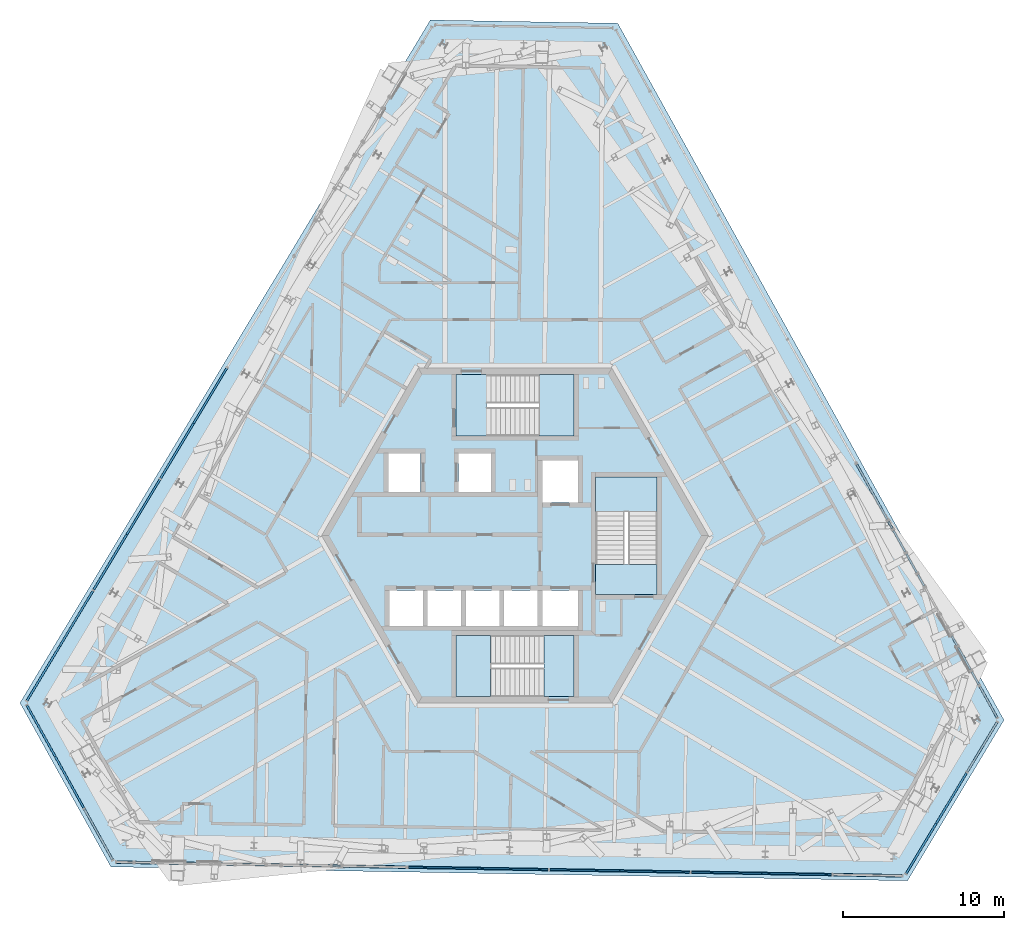
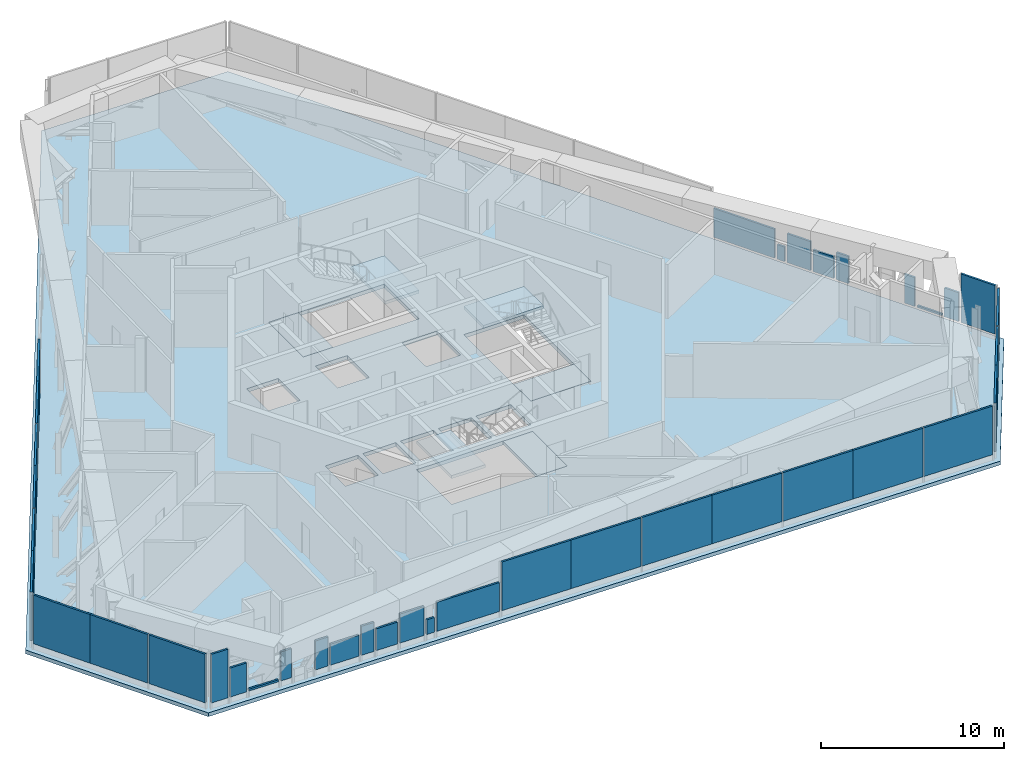
# One storey, part 13 of 28: 39 plates, 7 slabs, 27 elements without a shape of their own.
"""IFC4 building model written with IfcOpenShell, lengths in metres."""

from ifc_helpers import new_model, si_unit, direction, frame, origin, origin_2d, place, context, subcontext, project, spatial, polyline, rectangle, outline, extrude, source, transform, mapped, material, layer, layer_set, type_object, element, aggregate, save


model = new_model("IFC4")

# Units and contexts
model_context = context("Model", 3, precision=1e-05, world=origin(), true_north=direction((0.0, 1.0)))
body_context = subcontext(model_context, "Body", "Model", "MODEL_VIEW")
ifc_project = project(units=[si_unit("LENGTHUNIT", "METRE"), si_unit("AREAUNIT", "SQUARE_METRE"), si_unit("VOLUMEUNIT", "CUBIC_METRE"), si_unit("PLANEANGLEUNIT", "RADIAN"), si_unit("MASSUNIT", "GRAM", prefix="KILO")], contexts=[model_context])

# Site, building, storey
site_placement = place(None, origin())
site = spatial("IfcSite", under=ifc_project, at=site_placement, CompositionType="ELEMENT")
building_placement = place(site_placement, origin())
building = spatial("IfcBuilding", under=site, at=building_placement, Name="Triune Harvest Tower", CompositionType="ELEMENT")
storey_placement = place(building_placement, frame((0.0, 0.0, 215.89990234375)))
storey = spatial("IfcBuildingStorey", under=building, at=storey_placement, Name="L56", CompositionType="ELEMENT", Elevation=215.89990234375)

# Curtain wall, plate
ifc_material_1 = material(Name="Aluminium bronze anodised", Category="aluminium")
curtain_wall_type = type_object("IfcCurtainWallType", Name="CW-5 Plant louvre wall", PredefinedType="NOTDEFINED", material=ifc_material_1)
curtain_wall_1_placement = place(storey_placement, origin())
curtain_wall_1 = element("IfcCurtainWall", 1, at=curtain_wall_1_placement, inside=storey, type_object=curtain_wall_type, Name="CW-5 B5-F1 L56 run 1")
ifc_material_2 = material(Name="Aluminium bronze anodised", Category="aluminium")
ifc_layer_1 = layer(ifc_material_2, 0.1201171875)
ifc_layer_set_1 = layer_set([ifc_layer_1], Name="Aluminium bronze anodised")
plate_type = type_object("IfcPlateType", Name="GL-5 panel 120", PredefinedType="CURTAIN_PANEL", material=ifc_layer_set_1)
plate_1_placement = place(storey_placement, frame((29.3662109375, -10.328125, 0.39990234375), z_axis=(0.0, 0.0, 1.0), x_axis=(-0.484817847522, 0.874615146635, 0.0)))
plate_1 = element("IfcPlate", 2, at=plate_1_placement, type_object=plate_type, Name="CW-5 panel B5-F1 1.1", PredefinedType="CURTAIN_PANEL", context=body_context, shape_type="SweptSolid", body=[
    extrude(rectangle(XDim=2.186767578125, YDim=0.1201171875, at=origin_2d()), origin(), (0.0, 0.0, 1.0), 3.239990234375),
])
aggregate(curtain_wall_1, [plate_1])

curtain_wall_2_placement = place(storey_placement, origin())
curtain_wall_2 = element("IfcCurtainWall", 3, at=curtain_wall_2_placement, inside=storey, type_object=curtain_wall_type, Name="CW-5 B5-F1 L56 run 101")
plate_2_placement = place(storey_placement, frame((28.540283203125, -8.83837890625, 0.39990234375), z_axis=(0.0, 0.0, 1.0), x_axis=(-0.484817516976, 0.874615329864, 0.0)))
plate_2 = element("IfcPlate", 4, at=plate_2_placement, type_object=plate_type, Name="CW-5 panel B5-F1 101.1", PredefinedType="CURTAIN_PANEL", context=body_context, shape_type="SweptSolid", body=[
    extrude(rectangle(XDim=0.899658203125, YDim=0.1201171875, at=origin_2d()), origin(), (0.0, 0.0, 1.0), 1.929931640625),
])
aggregate(curtain_wall_2, [plate_2])

curtain_wall_3_placement = place(storey_placement, origin())
curtain_wall_3 = element("IfcCurtainWall", 5, at=curtain_wall_3_placement, inside=storey, type_object=curtain_wall_type, Name="CW-5 B5-F1 L56 run 201")
plate_3_placement = place(storey_placement, frame((27.86474609375, -7.619384765625, 0.39990234375), z_axis=(0.0, 0.0, 1.0), x_axis=(-0.484782619936, 0.874634673111, 0.0)))
plate_3 = element("IfcPlate", 6, at=plate_3_placement, type_object=plate_type, Name="CW-5 panel B5-F1 201.1", PredefinedType="CURTAIN_PANEL", context=body_context, shape_type="SweptSolid", body=[
    extrude(rectangle(XDim=1.567626953125, YDim=0.1201171875, at=origin_2d()), origin(), (0.0, 0.0, 1.0), 0.131103515625),
])
aggregate(curtain_wall_3, [plate_3])

curtain_wall_4_placement = place(storey_placement, origin())
curtain_wall_4 = element("IfcCurtainWall", 7, at=curtain_wall_4_placement, inside=storey, type_object=curtain_wall_type, Name="CW-5 B5-F1 L56 run 801")
plate_4_placement = place(storey_placement, frame((25.17578125, -2.7685546875, 0.39990234375), z_axis=(0.0, 0.0, 1.0), x_axis=(-0.484818713958, 0.874614666351, 0.0)))
plate_4 = element("IfcPlate", 8, at=plate_4_placement, type_object=plate_type, Name="CW-5 panel B5-F1 801.1", PredefinedType="CURTAIN_PANEL", context=body_context, shape_type="SweptSolid", body=[
    extrude(rectangle(XDim=0.777587890625, YDim=0.1201171875, at=origin_2d()), origin(), (0.0, 0.0, 1.0), 1.806884765625),
])
aggregate(curtain_wall_4, [plate_4])

curtain_wall_5_placement = place(storey_placement, origin())
curtain_wall_5 = element("IfcCurtainWall", 9, at=curtain_wall_5_placement, inside=storey, type_object=curtain_wall_type, Name="CW-5 B5-F1 L56 run 1101")
plate_5_placement = place(storey_placement, frame((23.27587890625, 0.65869140625, 0.400146484375), z_axis=(0.0, 0.0, 1.0), x_axis=(-0.484765520499, 0.874644150575, 0.0)))
plate_5 = element("IfcPlate", 10, at=plate_5_placement, type_object=plate_type, Name="CW-5 panel B5-F1 1101.1", PredefinedType="CURTAIN_PANEL", context=body_context, shape_type="SweptSolid", body=[
    extrude(rectangle(XDim=0.46923828125, YDim=0.1201171875, at=origin_2d()), origin(), (0.0, 0.0, 1.0), 0.9775390625),
])
aggregate(curtain_wall_5, [plate_5])

curtain_wall_6_placement = place(storey_placement, origin())
curtain_wall_6 = element("IfcCurtainWall", 11, at=curtain_wall_6_placement, inside=storey, type_object=curtain_wall_type, Name="CW-5 B5-F1 L56 run 1201")
plate_6_placement = place(storey_placement, frame((22.1396484375, 2.708740234375, 0.39990234375), z_axis=(0.0, 0.0, 1.0), x_axis=(-0.484820607584, 0.874613616668, 0.0)))
plate_6 = element("IfcPlate", 12, at=plate_6_placement, type_object=plate_type, Name="CW-5 panel B5-F1 1201.1", PredefinedType="CURTAIN_PANEL", context=body_context, shape_type="SweptSolid", body=[
    extrude(rectangle(XDim=3.89892578125, YDim=0.1201171875, at=origin_2d()), origin(), (0.0, 0.0, 1.0), 1.929931640625),
])
aggregate(curtain_wall_6, [plate_6])

curtain_wall_7_placement = place(storey_placement, origin())
curtain_wall_7 = element("IfcCurtainWall", 13, at=curtain_wall_7_placement, inside=storey, type_object=curtain_wall_type, Name="CW-5 B5-F5 L56 run 101")
plate_7_placement = place(storey_placement, frame((-23.040771484375, -20.278076171875, 0.39990234375), z_axis=(0.0, 0.0, 1.0), x_axis=(0.999847372011, -0.017470909586, 0.0)))
plate_7 = element("IfcPlate", 14, at=plate_7_placement, type_object=plate_type, Name="CW-5 panel B5-F5 101.1", PredefinedType="CURTAIN_PANEL", context=body_context, shape_type="SweptSolid", body=[
    extrude(rectangle(XDim=1.013427734375, YDim=0.1201171875, at=origin_2d()), origin(), (0.0, 0.0, 1.0), 1.929931640625),
])
aggregate(curtain_wall_7, [plate_7])

curtain_wall_8_placement = place(storey_placement, origin())
curtain_wall_8 = element("IfcCurtainWall", 15, at=curtain_wall_8_placement, inside=storey, type_object=curtain_wall_type, Name="CW-5 B5-F5 L56 run 201")
plate_8_placement = place(storey_placement, frame((-21.46435546875, -20.3056640625, 0.400146484375), z_axis=(0.0, 0.0, 1.0), x_axis=(0.999847259025, -0.017477374538, 0.0)))
plate_8 = element("IfcPlate", 16, at=plate_8_placement, type_object=plate_type, Name="CW-5 panel B5-F5 201.1", PredefinedType="CURTAIN_PANEL", context=body_context, shape_type="SweptSolid", body=[
    extrude(rectangle(XDim=1.81982421875, YDim=0.1201171875, at=origin_2d()), origin(), (0.0, 0.0, 1.0), 0.13134765625),
])
aggregate(curtain_wall_8, [plate_8])

curtain_wall_9_placement = place(storey_placement, origin())
curtain_wall_9 = element("IfcCurtainWall", 17, at=curtain_wall_9_placement, inside=storey, type_object=curtain_wall_type, Name="CW-5 B5-F5 L56 run 601")
plate_9_placement = place(storey_placement, frame((-17.849853515625, -20.36865234375, 0.39990234375), z_axis=(0.0, 0.0, 1.0), x_axis=(0.9998478068, -0.017446009191, 0.0)))
plate_9 = element("IfcPlate", 18, at=plate_9_placement, type_object=plate_type, Name="CW-5 panel B5-F5 601.1", PredefinedType="CURTAIN_PANEL", context=body_context, shape_type="SweptSolid", body=[
    extrude(rectangle(XDim=0.780029296875, YDim=0.1201171875, at=origin_2d()), origin(), (0.0, 0.0, 1.0), 1.929931640625),
])
aggregate(curtain_wall_9, [plate_9])

curtain_wall_10_placement = place(storey_placement, origin())
curtain_wall_10 = element("IfcCurtainWall", 19, at=curtain_wall_10_placement, inside=storey, type_object=curtain_wall_type, Name="CW-5 B5-F5 L56 run 701")
plate_10_placement = place(storey_placement, frame((-16.4169921875, -20.393798828125, 0.39990234375), z_axis=(0.0, 0.0, 1.0), x_axis=(0.999847830695, -0.017444639683, 0.0)))
plate_10 = element("IfcPlate", 20, at=plate_10_placement, type_object=plate_type, Name="CW-5 panel B5-F5 701.1", PredefinedType="CURTAIN_PANEL", context=body_context, shape_type="SweptSolid", body=[
    extrude(rectangle(XDim=1.76611328125, YDim=0.1201171875, at=origin_2d()), origin(), (0.0, 0.0, 1.0), 1.393798828125),
])
aggregate(curtain_wall_10, [plate_10])

curtain_wall_11_placement = place(storey_placement, origin())
curtain_wall_11 = element("IfcCurtainWall", 21, at=curtain_wall_11_placement, inside=storey, type_object=curtain_wall_type, Name="CW-5 B5-F5 L56 run 1101")
plate_11_placement = place(storey_placement, frame((-11.067626953125, -20.487060546875, 0.39990234375), z_axis=(0.0, 0.0, 1.0), x_axis=(0.999847070048, -0.017488182181, 0.0)))
plate_11 = element("IfcPlate", 22, at=plate_11_placement, type_object=plate_type, Name="CW-5 panel B5-F5 1101.1", PredefinedType="CURTAIN_PANEL", context=body_context, shape_type="SweptSolid", body=[
    extrude(rectangle(XDim=0.468994140625, YDim=0.1201171875, at=origin_2d()), origin(), (0.0, 0.0, 1.0), 0.977783203125),
])
aggregate(curtain_wall_11, [plate_11])

curtain_wall_12_placement = place(storey_placement, origin())
curtain_wall_12 = element("IfcCurtainWall", 23, at=curtain_wall_12_placement, inside=storey, type_object=curtain_wall_type, Name="CW-5 B5-F5 L56 run 1201")
plate_12_placement = place(storey_placement, frame((-8.724609375, -20.528076171875, 0.39990234375), z_axis=(0.0, 0.0, 1.0), x_axis=(0.999847768013, -0.017448231984, 0.0)))
plate_12 = element("IfcPlate", 24, at=plate_12_placement, type_object=plate_type, Name="CW-5 panel B5-F5 1201.1", PredefinedType="CURTAIN_PANEL", context=body_context, shape_type="SweptSolid", body=[
    extrude(rectangle(XDim=3.897705078125, YDim=0.1201171875, at=origin_2d()), origin(), (0.0, 0.0, 1.0), 1.929931640625),
])
aggregate(curtain_wall_12, [plate_12])

# Curtain wall, plates
curtain_wall_13_placement = place(storey_placement, origin())
curtain_wall_13 = element("IfcCurtainWall", 25, at=curtain_wall_13_placement, inside=storey, type_object=curtain_wall_type, Name="CW-5 B5-F5 L56 run 1301")
plate_13_placement = place(storey_placement, frame((-4.457763671875, -20.6025390625, 0.39990234375), z_axis=(0.0, 0.0, 1.0), x_axis=(0.999847739304, -0.017449877038, 0.0)))
plate_13 = element("IfcPlate", 26, at=plate_13_placement, type_object=plate_type, Name="CW-5 panel B5-F5 1301.1", PredefinedType="CURTAIN_PANEL", context=body_context, shape_type="SweptSolid", body=[
    extrude(rectangle(XDim=4.317138671875, YDim=0.1201171875, at=origin_2d()), origin(), (0.0, 0.0, 1.0), 3.239990234375),
])
plate_14_placement = place(storey_placement, frame((21.860595703125, -21.061767578125, 0.39990234375), z_axis=(0.0, 0.0, 1.0), x_axis=(0.999847739304, -0.017449877038, 0.0)))
plate_14 = element("IfcPlate", 27, at=plate_14_placement, type_object=plate_type, Name="CW-5 panel B5-F5 1301.7", PredefinedType="CURTAIN_PANEL", context=body_context, shape_type="SweptSolid", body=[
    extrude(rectangle(XDim=4.277099609375, YDim=0.1201171875, at=origin_2d()), origin(), (0.0, 0.0, 1.0), 3.239990234375),
])

# Slab
ifc_material_3 = material(Name="Concrete 40 MPa", Category="concrete")
ifc_layer_2 = layer(ifc_material_3, 0.25)
ifc_layer_set_2 = layer_set([ifc_layer_2], Name="Concrete 40 MPa")
slab_type_1 = type_object("IfcSlabType", Name="SL-4 Composite floor slab 250", PredefinedType="FLOOR", material=ifc_layer_set_2)
slab_1_placement = place(storey_placement, frame((0.0, 0.0, -0.25)))
element("IfcSlab", 28, at=slab_1_placement, inside=storey, type_object=slab_type_1, Name="slab/L56/1", PredefinedType="FLOOR", context=body_context, shape_type="SweptSolid", body=[
    extrude(outline(polyline([(30.324951171875, -11.439208984375), (6.368896484375, 31.77880859375), (-5.256103515625, 31.981689453125), (-30.705810546875, -10.373779296875), (-25.069091796875, -20.542724609375), (24.3369140625, -21.405029296875), (30.324951171875, -11.439208984375)]), holes=[polyline([(-5.72509765625, -5.590087890625), (-5.72509765625, -3.389892578125), (-7.800048828125, -3.389892578125), (-7.800048828125, -5.590087890625), (-5.72509765625, -5.590087890625)]), polyline([(-3.35009765625, -5.590087890625), (-3.35009765625, -3.389892578125), (-5.425048828125, -3.389892578125), (-5.425048828125, -5.590087890625), (-3.35009765625, -5.590087890625)]), polyline([(-0.97509765625, -5.590087890625), (-0.97509765625, -3.389892578125), (-3.050048828125, -3.389892578125), (-3.050048828125, -5.590087890625), (-0.97509765625, -5.590087890625)]), polyline([(1.39990234375, -5.590087890625), (1.39990234375, -3.389892578125), (-0.675048828125, -3.389892578125), (-0.675048828125, -5.590087890625), (1.39990234375, -5.590087890625)]), polyline([(3.89990234375, 2.06005859375), (3.89990234375, 4.659912109375), (1.699951171875, 4.659912109375), (1.699951171875, 2.06005859375), (3.89990234375, 2.06005859375)]), polyline([(3.89990234375, -5.590087890625), (3.89990234375, -3.389892578125), (1.699951171875, -3.389892578125), (1.699951171875, -5.590087890625), (3.89990234375, -5.590087890625)]), polyline([(-5.85009765625, 2.7099609375), (-5.85009765625, 5.110107421875), (-7.85009765625, 5.110107421875), (-7.85009765625, 2.7099609375), (-5.85009765625, 2.7099609375)]), polyline([(-1.5, 2.7099609375), (-1.5, 5.110107421875), (-3.5, 5.110107421875), (-3.5, 2.7099609375), (-1.5, 2.7099609375)]), polyline([(3.64990234375, 6.18994140625), (3.64990234375, 9.989990234375), (-3.64990234375, 9.989990234375), (-3.64990234375, 6.18994140625), (3.64990234375, 6.18994140625)]), polyline([(3.64990234375, -9.989990234375), (3.64990234375, -6.18994140625), (-3.64990234375, -6.18994140625), (-3.64990234375, -9.989990234375), (3.64990234375, -9.989990234375)]), polyline([(8.800048828125, -3.64990234375), (8.800048828125, 3.64990234375), (5.0, 3.64990234375), (5.0, -3.64990234375), (8.800048828125, -3.64990234375)])]), origin(), (0.0, 0.0, 1.0), 0.25),
])

# Stair, slabs
ifc_material_4 = material(Name="Concrete 40 MPa", Category="concrete")
stair_type = type_object("IfcStairType", Name="Exit stair 1800 half turn", PredefinedType="HALF_TURN_STAIR", material=ifc_material_4)
stair_1_placement = place(storey_placement, origin())
stair_1 = element("IfcStair", 29, at=stair_1_placement, inside=storey, type_object=stair_type, Name="Exit stair north", PredefinedType="HALF_TURN_STAIR")
ifc_material_5 = material(Name="Concrete 40 MPa", Category="concrete")
ifc_layer_3 = layer(ifc_material_5, 0.199951171875)
ifc_layer_set_3 = layer_set([ifc_layer_3], Name="Concrete 40 MPa")
slab_type_2 = type_object("IfcSlabType", Name="Stair landing 200", PredefinedType="LANDING", material=ifc_layer_set_3)
shared_shape_1 = source(origin(), body_context, "Body", "SweptSolid", [
    extrude(outline(polyline([(1.510009765625, 6.18994140625), (3.64990234375, 6.18994140625), (3.64990234375, 9.989990234375), (1.510009765625, 9.989990234375), (1.510009765625, 6.18994140625)])), origin(), (0.0, 0.0, 1.0), 0.199951171875),
])
slab_2_placement = place(storey_placement, frame((0.0, 0.0, 1.7001953125)))
slab_2 = element("IfcSlab", 30, at=slab_2_placement, type_object=slab_type_2, Name="ST-1 landing 2", PredefinedType="LANDING", context=body_context, shape_type="MappedRepresentation", body=[
    mapped(shared_shape_1, transform((0.0, 0.0, 0.0), scale=1.0)),
])
shared_shape_2 = source(origin(), body_context, "Body", "SweptSolid", [
    extrude(outline(polyline([(-3.64990234375, 6.18994140625), (-1.780029296875, 6.18994140625), (-1.780029296875, 9.989990234375), (-3.64990234375, 9.989990234375), (-3.64990234375, 6.18994140625)])), origin(), (0.0, 0.0, 1.0), 0.199951171875),
])
slab_3_placement = place(storey_placement, frame((0.0, 0.0, -0.199951171875)))
slab_3 = element("IfcSlab", 31, at=slab_3_placement, type_object=slab_type_2, Name="ST-1 landing 1", PredefinedType="LANDING", context=body_context, shape_type="MappedRepresentation", body=[
    mapped(shared_shape_2, transform((0.0, 0.0, 0.0), scale=1.0)),
])
aggregate(stair_1, [slab_3, slab_2])

stair_2_placement = place(storey_placement, origin())
stair_2 = element("IfcStair", 32, at=stair_2_placement, inside=storey, type_object=stair_type, Name="Exit stair south", PredefinedType="HALF_TURN_STAIR")
shared_shape_3 = source(origin(), body_context, "Body", "SweptSolid", [
    extrude(outline(polyline([(-1.510009765625, -6.18994140625), (-3.64990234375, -6.18994140625), (-3.64990234375, -9.989990234375), (-1.510009765625, -9.989990234375), (-1.510009765625, -6.18994140625)])), origin(), (0.0, 0.0, 1.0), 0.199951171875),
])
slab_4_placement = place(storey_placement, frame((0.0, 0.0, 1.7001953125)))
slab_4 = element("IfcSlab", 33, at=slab_4_placement, type_object=slab_type_2, Name="ST-2 landing 2", PredefinedType="LANDING", context=body_context, shape_type="MappedRepresentation", body=[
    mapped(shared_shape_3, transform((0.0, 0.0, 0.0), scale=1.0)),
])
shared_shape_4 = source(origin(), body_context, "Body", "SweptSolid", [
    extrude(outline(polyline([(3.64990234375, -6.18994140625), (1.780029296875, -6.18994140625), (1.780029296875, -9.989990234375), (3.64990234375, -9.989990234375), (3.64990234375, -6.18994140625)])), origin(), (0.0, 0.0, 1.0), 0.199951171875),
])
slab_5_placement = place(storey_placement, frame((0.0, 0.0, -0.199951171875)))
slab_5 = element("IfcSlab", 34, at=slab_5_placement, type_object=slab_type_2, Name="ST-2 landing 1", PredefinedType="LANDING", context=body_context, shape_type="MappedRepresentation", body=[
    mapped(shared_shape_4, transform((0.0, 0.0, 0.0), scale=1.0)),
])
aggregate(stair_2, [slab_5, slab_4])

stair_3_placement = place(storey_placement, origin())
stair_3 = element("IfcStair", 35, at=stair_3_placement, inside=storey, type_object=stair_type, Name="Exit stair east", PredefinedType="HALF_TURN_STAIR")
shared_shape_5 = source(origin(), body_context, "Body", "SweptSolid", [
    extrude(outline(polyline([(8.800048828125, 1.510009765625), (8.800048828125, 3.64990234375), (5.0, 3.64990234375), (5.0, 1.510009765625), (8.800048828125, 1.510009765625)])), origin(), (0.0, 0.0, 1.0), 0.199951171875),
])
slab_6_placement = place(storey_placement, frame((0.0, 0.0, 1.7001953125)))
slab_6 = element("IfcSlab", 36, at=slab_6_placement, type_object=slab_type_2, Name="ST-3 landing 2", PredefinedType="LANDING", context=body_context, shape_type="MappedRepresentation", body=[
    mapped(shared_shape_5, transform((0.0, 0.0, 0.0), scale=1.0)),
])
shared_shape_6 = source(origin(), body_context, "Body", "SweptSolid", [
    extrude(outline(polyline([(8.800048828125, -3.64990234375), (8.800048828125, -1.780029296875), (5.0, -1.780029296875), (5.0, -3.64990234375), (8.800048828125, -3.64990234375)])), origin(), (0.0, 0.0, 1.0), 0.199951171875),
])
slab_7_placement = place(storey_placement, frame((0.0, 0.0, -0.199951171875)))
slab_7 = element("IfcSlab", 37, at=slab_7_placement, type_object=slab_type_2, Name="ST-3 landing 1", PredefinedType="LANDING", context=body_context, shape_type="MappedRepresentation", body=[
    mapped(shared_shape_6, transform((0.0, 0.0, 0.0), scale=1.0)),
])
aggregate(stair_3, [slab_7, slab_6])

# Curtain wall, plate
curtain_wall_14_placement = place(storey_placement, origin())
curtain_wall_14 = element("IfcCurtainWall", 38, at=curtain_wall_14_placement, inside=storey, type_object=curtain_wall_type, Name="CW-5 B5-F1 L56 run 301")
shared_shape_7 = source(origin(), body_context, "Body", "SweptSolid", [
    extrude(rectangle(XDim=0.647705078125, YDim=0.1201171875, at=origin_2d()), origin(), (0.0, 0.0, 1.0), 1.929931640625),
])
plate_15_placement = place(storey_placement, frame((27.25, -6.5107421875, 0.39990234375), z_axis=(0.0, 0.0, 1.0), x_axis=(-0.484896303337, 0.874571652302, 0.0)))
plate_15 = element("IfcPlate", 39, at=plate_15_placement, type_object=plate_type, Name="CW-5 panel B5-F1 301.1", PredefinedType="CURTAIN_PANEL", context=body_context, shape_type="MappedRepresentation", body=[
    mapped(shared_shape_7, transform((0.0, 0.0, 0.0), scale=1.0)),
])
aggregate(curtain_wall_14, [plate_15])

curtain_wall_15_placement = place(storey_placement, origin())
curtain_wall_15 = element("IfcCurtainWall", 40, at=curtain_wall_15_placement, inside=storey, type_object=curtain_wall_type, Name="CW-5 B5-F5 L56 run 301")
plate_16_placement = place(storey_placement, frame((-20.071044921875, -20.329833984375, 0.39990234375), z_axis=(0.0, 0.0, 1.0), x_axis=(0.999847586348, -0.017458638966, 0.0)))
plate_16 = element("IfcPlate", 41, at=plate_16_placement, type_object=plate_type, Name="CW-5 panel B5-F5 301.1", PredefinedType="CURTAIN_PANEL", context=body_context, shape_type="MappedRepresentation", body=[
    mapped(shared_shape_7, transform((0.0, 0.0, 0.0), scale=1.0)),
])
aggregate(curtain_wall_15, [plate_16])

curtain_wall_16_placement = place(storey_placement, origin())
curtain_wall_16 = element("IfcCurtainWall", 42, at=curtain_wall_16_placement, inside=storey, type_object=curtain_wall_type, Name="CW-5 B5-F1 L56 run 901")
shared_shape_8 = source(origin(), body_context, "Body", "SweptSolid", [
    extrude(rectangle(XDim=1.30908203125, YDim=0.1201171875, at=origin_2d()), origin(), (0.0, 0.0, 1.0), 1.4501953125),
])
plate_17_placement = place(storey_placement, frame((24.59228515625, -1.716064453125, 0.400146484375), z_axis=(0.0, 0.0, 1.0), x_axis=(-0.484845182808, 0.874599993544, 0.0)))
plate_17 = element("IfcPlate", 43, at=plate_17_placement, type_object=plate_type, Name="CW-5 panel B5-F1 901.1", PredefinedType="CURTAIN_PANEL", context=body_context, shape_type="MappedRepresentation", body=[
    mapped(shared_shape_8, transform((0.0, 0.0, 0.0), scale=1.0)),
])
aggregate(curtain_wall_16, [plate_17])

curtain_wall_17_placement = place(storey_placement, origin())
curtain_wall_17 = element("IfcCurtainWall", 44, at=curtain_wall_17_placement, inside=storey, type_object=curtain_wall_type, Name="CW-5 B5-F5 L56 run 901")
plate_18_placement = place(storey_placement, frame((-13.7822265625, -20.439697265625, 0.400146484375), z_axis=(0.0, 0.0, 1.0), x_axis=(0.999848166867, -0.017425361211, 0.0)))
plate_18 = element("IfcPlate", 45, at=plate_18_placement, type_object=plate_type, Name="CW-5 panel B5-F5 901.1", PredefinedType="CURTAIN_PANEL", context=body_context, shape_type="MappedRepresentation", body=[
    mapped(shared_shape_8, transform((0.0, 0.0, 0.0), scale=1.0)),
])
aggregate(curtain_wall_17, [plate_18])

curtain_wall_18_placement = place(storey_placement, origin())
curtain_wall_18 = element("IfcCurtainWall", 46, at=curtain_wall_18_placement, inside=storey, type_object=curtain_wall_type, Name="CW-5 B5-F1 L56 run 1001")
shared_shape_9 = source(origin(), body_context, "Body", "SweptSolid", [
    extrude(rectangle(XDim=1.506103515625, YDim=0.1201171875, at=origin_2d()), origin(), (0.0, 0.0, 1.0), 1.929931640625),
])
plate_19_placement = place(storey_placement, frame((23.832275390625, -0.344970703125, 0.39990234375), z_axis=(0.0, 0.0, 1.0), x_axis=(-0.484791644973, 0.874629670755, 0.0)))
plate_19 = element("IfcPlate", 47, at=plate_19_placement, type_object=plate_type, Name="CW-5 panel B5-F1 1001.1", PredefinedType="CURTAIN_PANEL", context=body_context, shape_type="MappedRepresentation", body=[
    mapped(shared_shape_9, transform((0.0, 0.0, 0.0), scale=1.0)),
])
aggregate(curtain_wall_18, [plate_19])

curtain_wall_19_placement = place(storey_placement, origin())
curtain_wall_19 = element("IfcCurtainWall", 48, at=curtain_wall_19_placement, inside=storey, type_object=curtain_wall_type, Name="CW-5 B5-F5 L56 run 1001")
plate_20_placement = place(storey_placement, frame((-12.21484375, -20.467041015625, 0.39990234375), z_axis=(0.0, 0.0, 1.0), x_axis=(0.999847450468, -0.017466419016, 0.0)))
plate_20 = element("IfcPlate", 49, at=plate_20_placement, type_object=plate_type, Name="CW-5 panel B5-F5 1001.1", PredefinedType="CURTAIN_PANEL", context=body_context, shape_type="MappedRepresentation", body=[
    mapped(shared_shape_9, transform((0.0, 0.0, 0.0), scale=1.0)),
])
aggregate(curtain_wall_19, [plate_20])

curtain_wall_20_placement = place(storey_placement, origin())
curtain_wall_20 = element("IfcCurtainWall", 50, at=curtain_wall_20_placement, inside=storey, type_object=curtain_wall_type, Name="CW-5 B5-F4 L56 run 1")
shared_shape_10 = source(origin(), body_context, "Body", "SweptSolid", [
    extrude(rectangle(XDim=3.6201171875, YDim=0.1201171875, at=origin_2d()), origin(), (0.0, 0.0, 1.0), 3.239990234375),
])
plate_21_placement = place(storey_placement, frame((-29.3994140625, -12.111572265625, 0.39990234375), z_axis=(0.0, 0.0, 1.0), x_axis=(0.484801950362, -0.874623958582, 0.0)))
plate_21 = element("IfcPlate", 51, at=plate_21_placement, type_object=plate_type, Name="CW-5 panel B5-F4 1.1", PredefinedType="CURTAIN_PANEL", context=body_context, shape_type="MappedRepresentation", body=[
    mapped(shared_shape_10, transform((0.0, 0.0, 0.0), scale=1.0)),
])

curtain_wall_21_placement = place(storey_placement, origin())
curtain_wall_21 = element("IfcCurtainWall", 52, at=curtain_wall_21_placement, inside=storey, type_object=curtain_wall_type, Name="CW-5 B5-F6 L56 run 1")
plate_22_placement = place(storey_placement, frame((25.188720703125, -19.40478515625, 0.39990234375), z_axis=(0.0, 0.0, 1.0), x_axis=(0.515036685882, 0.857168135313, 0.0)))
plate_22 = element("IfcPlate", 53, at=plate_22_placement, type_object=plate_type, Name="CW-5 panel B5-F6 1.1", PredefinedType="CURTAIN_PANEL", context=body_context, shape_type="MappedRepresentation", body=[
    mapped(shared_shape_10, transform((0.0, 0.0, 0.0), scale=1.0)),
])

# Plate
shared_shape_11 = source(origin(), body_context, "Body", "SweptSolid", [
    extrude(rectangle(XDim=3.66015625, YDim=0.1201171875, at=origin_2d()), origin(), (0.0, 0.0, 1.0), 3.239990234375),
])
plate_23_placement = place(storey_placement, frame((-27.634765625, -15.29541015625, 0.39990234375), z_axis=(0.0, 0.0, 1.0), x_axis=(0.484801950362, -0.874623958582, 0.0)))
plate_23 = element("IfcPlate", 54, at=plate_23_placement, type_object=plate_type, Name="CW-5 panel B5-F4 1.2", PredefinedType="CURTAIN_PANEL", context=body_context, shape_type="MappedRepresentation", body=[
    mapped(shared_shape_11, transform((0.0, 0.0, 0.0), scale=1.0)),
])

plate_24_placement = place(storey_placement, frame((27.0634765625, -16.28466796875, 0.39990234375), z_axis=(0.0, 0.0, 1.0), x_axis=(0.515036685882, 0.857168135313, 0.0)))
plate_24 = element("IfcPlate", 55, at=plate_24_placement, type_object=plate_type, Name="CW-5 panel B5-F6 1.2", PredefinedType="CURTAIN_PANEL", context=body_context, shape_type="MappedRepresentation", body=[
    mapped(shared_shape_11, transform((0.0, 0.0, 0.0), scale=1.0)),
])

shared_shape_12 = source(origin(), body_context, "Body", "SweptSolid", [
    extrude(rectangle(XDim=3.580078125, YDim=0.1201171875, at=origin_2d()), origin(), (0.0, 0.0, 1.0), 3.239990234375),
])
plate_25_placement = place(storey_placement, frame((-25.8408203125, -18.531494140625, 0.39990234375), z_axis=(0.0, 0.0, 1.0), x_axis=(0.484801950362, -0.874623958582, 0.0)))
plate_25 = element("IfcPlate", 56, at=plate_25_placement, type_object=plate_type, Name="CW-5 panel B5-F4 1.3", PredefinedType="CURTAIN_PANEL", context=body_context, shape_type="MappedRepresentation", body=[
    mapped(shared_shape_12, transform((0.0, 0.0, 0.0), scale=1.0)),
])

aggregate(curtain_wall_20, [plate_21, plate_23, plate_25])

plate_26_placement = place(storey_placement, frame((28.968994140625, -13.11328125, 0.39990234375), z_axis=(0.0, 0.0, 1.0), x_axis=(0.515036685882, 0.857168135313, 0.0)))
plate_26 = element("IfcPlate", 57, at=plate_26_placement, type_object=plate_type, Name="CW-5 panel B5-F6 1.3", PredefinedType="CURTAIN_PANEL", context=body_context, shape_type="MappedRepresentation", body=[
    mapped(shared_shape_12, transform((0.0, 0.0, 0.0), scale=1.0)),
])

aggregate(curtain_wall_21, [plate_22, plate_24, plate_26])

# Curtain wall, plate
curtain_wall_22_placement = place(storey_placement, origin())
curtain_wall_22 = element("IfcCurtainWall", 58, at=curtain_wall_22_placement, inside=storey, type_object=curtain_wall_type, Name="CW-5 B5-F5 L56 run 1")
shared_shape_13 = source(origin(), body_context, "Body", "SweptSolid", [
    extrude(rectangle(XDim=1.013427734375, YDim=0.1201171875, at=origin_2d()), origin(), (0.0, 0.0, 1.0), 3.239990234375),
])
plate_27_placement = place(storey_placement, frame((-24.2138671875, -20.257568359375, 0.39990234375), z_axis=(0.0, 0.0, 1.0), x_axis=(0.999848882853, -0.017384230137, 0.0)))
plate_27 = element("IfcPlate", 59, at=plate_27_placement, type_object=plate_type, Name="CW-5 panel B5-F5 1.1", PredefinedType="CURTAIN_PANEL", context=body_context, shape_type="MappedRepresentation", body=[
    mapped(shared_shape_13, transform((0.0, 0.0, 0.0), scale=1.0)),
])
aggregate(curtain_wall_22, [plate_27])

curtain_wall_23_placement = place(storey_placement, origin())
curtain_wall_23 = element("IfcCurtainWall", 60, at=curtain_wall_23_placement, inside=storey, type_object=curtain_wall_type, Name="CW-5 B5-F5 L56 run 801")
shared_shape_14 = source(origin(), body_context, "Body", "SweptSolid", [
    extrude(rectangle(XDim=0.777587890625, YDim=0.1201171875, at=origin_2d()), origin(), (0.0, 0.0, 1.0), 1.929931640625),
])
plate_28_placement = place(storey_placement, frame((-14.9853515625, -20.418701171875, 0.39990234375), z_axis=(0.0, 0.0, 1.0), x_axis=(0.999847026753, -0.017490657325, 0.0)))
plate_28 = element("IfcPlate", 61, at=plate_28_placement, type_object=plate_type, Name="CW-5 panel B5-F5 801.1", PredefinedType="CURTAIN_PANEL", context=body_context, shape_type="MappedRepresentation", body=[
    mapped(shared_shape_14, transform((0.0, 0.0, 0.0), scale=1.0)),
])
aggregate(curtain_wall_23, [plate_28])

# Curtain wall, plates
curtain_wall_24_placement = place(storey_placement, origin())
curtain_wall_24 = element("IfcCurtainWall", 62, at=curtain_wall_24_placement, inside=storey, type_object=curtain_wall_type, Name="CW-5 B5-F3 L56 run 1201")
shared_shape_15 = source(origin(), body_context, "Body", "SweptSolid", [
    extrude(rectangle(XDim=3.95068359375, YDim=0.1201171875, at=origin_2d()), origin(), (0.0, 0.0, 1.0), 3.239990234375),
])
plate_29_placement = place(storey_placement, frame((-29.25439453125, -8.541015625, 0.39990234375), z_axis=(0.0, 0.0, 1.0), x_axis=(-0.515034271719, -0.857169585878, 0.0)))
plate_29 = element("IfcPlate", 63, at=plate_29_placement, type_object=plate_type, Name="CW-5 panel B5-F3 1201.8", PredefinedType="CURTAIN_PANEL", context=body_context, shape_type="MappedRepresentation", body=[
    mapped(shared_shape_15, transform((0.0, 0.0, 0.0), scale=1.0)),
])
shared_shape_16 = source(origin(), body_context, "Body", "SweptSolid", [
    extrude(rectangle(XDim=3.99072265625, YDim=0.1201171875, at=origin_2d()), origin(), (0.0, 0.0, 1.0), 3.239990234375),
])
plate_30_placement = place(storey_placement, frame((-18.90576171875, 8.68212890625, 0.39990234375), z_axis=(0.0, 0.0, 1.0), x_axis=(-0.515034271719, -0.857169585878, 0.0)))
plate_30 = element("IfcPlate", 64, at=plate_30_placement, type_object=plate_type, Name="CW-5 panel B5-F3 1201.3", PredefinedType="CURTAIN_PANEL", context=body_context, shape_type="MappedRepresentation", body=[
    mapped(shared_shape_16, transform((0.0, 0.0, 0.0), scale=1.0)),
])
plate_31_placement = place(storey_placement, frame((-20.9609375, 5.261474609375, 0.39990234375), z_axis=(0.0, 0.0, 1.0), x_axis=(-0.515034271719, -0.857169585878, 0.0)))
plate_31 = element("IfcPlate", 65, at=plate_31_placement, type_object=plate_type, Name="CW-5 panel B5-F3 1201.4", PredefinedType="CURTAIN_PANEL", context=body_context, shape_type="MappedRepresentation", body=[
    mapped(shared_shape_16, transform((0.0, 0.0, 0.0), scale=1.0)),
])
plate_32_placement = place(storey_placement, frame((-23.0576171875, 1.7724609375, 0.39990234375), z_axis=(0.0, 0.0, 1.0), x_axis=(-0.515034271719, -0.857169585878, 0.0)))
plate_32 = element("IfcPlate", 66, at=plate_32_placement, type_object=plate_type, Name="CW-5 panel B5-F3 1201.5", PredefinedType="CURTAIN_PANEL", context=body_context, shape_type="MappedRepresentation", body=[
    mapped(shared_shape_16, transform((0.0, 0.0, 0.0), scale=1.0)),
])
plate_33_placement = place(storey_placement, frame((-25.11279296875, -1.648193359375, 0.39990234375), z_axis=(0.0, 0.0, 1.0), x_axis=(-0.515034271719, -0.857169585878, 0.0)))
plate_33 = element("IfcPlate", 67, at=plate_33_placement, type_object=plate_type, Name="CW-5 panel B5-F3 1201.6", PredefinedType="CURTAIN_PANEL", context=body_context, shape_type="MappedRepresentation", body=[
    mapped(shared_shape_16, transform((0.0, 0.0, 0.0), scale=1.0)),
])
plate_34_placement = place(storey_placement, frame((-27.20947265625, -5.137451171875, 0.39990234375), z_axis=(0.0, 0.0, 1.0), x_axis=(-0.515034271719, -0.857169585878, 0.0)))
plate_34 = element("IfcPlate", 68, at=plate_34_placement, type_object=plate_type, Name="CW-5 panel B5-F3 1201.7", PredefinedType="CURTAIN_PANEL", context=body_context, shape_type="MappedRepresentation", body=[
    mapped(shared_shape_16, transform((0.0, 0.0, 0.0), scale=1.0)),
])
aggregate(curtain_wall_24, [plate_30, plate_31, plate_32, plate_33, plate_34, plate_29])

# Plate
shared_shape_17 = source(origin(), body_context, "Body", "SweptSolid", [
    extrude(rectangle(XDim=4.357177734375, YDim=0.1201171875, at=origin_2d()), origin(), (0.0, 0.0, 1.0), 3.239990234375),
])
plate_35_placement = place(storey_placement, frame((-0.121337890625, -20.67822265625, 0.39990234375), z_axis=(0.0, 0.0, 1.0), x_axis=(0.999847739304, -0.017449877038, 0.0)))
plate_35 = element("IfcPlate", 69, at=plate_35_placement, type_object=plate_type, Name="CW-5 panel B5-F5 1301.2", PredefinedType="CURTAIN_PANEL", context=body_context, shape_type="MappedRepresentation", body=[
    mapped(shared_shape_17, transform((0.0, 0.0, 0.0), scale=1.0)),
])

plate_36_placement = place(storey_placement, frame((4.31494140625, -20.755615234375, 0.39990234375), z_axis=(0.0, 0.0, 1.0), x_axis=(0.999847739304, -0.017449877038, 0.0)))
plate_36 = element("IfcPlate", 70, at=plate_36_placement, type_object=plate_type, Name="CW-5 panel B5-F5 1301.3", PredefinedType="CURTAIN_PANEL", context=body_context, shape_type="MappedRepresentation", body=[
    mapped(shared_shape_17, transform((0.0, 0.0, 0.0), scale=1.0)),
])

plate_37_placement = place(storey_placement, frame((8.67138671875, -20.83154296875, 0.39990234375), z_axis=(0.0, 0.0, 1.0), x_axis=(0.999847739304, -0.017449877038, 0.0)))
plate_37 = element("IfcPlate", 71, at=plate_37_placement, type_object=plate_type, Name="CW-5 panel B5-F5 1301.4", PredefinedType="CURTAIN_PANEL", context=body_context, shape_type="MappedRepresentation", body=[
    mapped(shared_shape_17, transform((0.0, 0.0, 0.0), scale=1.0)),
])

plate_38_placement = place(storey_placement, frame((13.10791015625, -20.908935546875, 0.39990234375), z_axis=(0.0, 0.0, 1.0), x_axis=(0.999847739304, -0.017449877038, 0.0)))
plate_38 = element("IfcPlate", 72, at=plate_38_placement, type_object=plate_type, Name="CW-5 panel B5-F5 1301.5", PredefinedType="CURTAIN_PANEL", context=body_context, shape_type="MappedRepresentation", body=[
    mapped(shared_shape_17, transform((0.0, 0.0, 0.0), scale=1.0)),
])

plate_39_placement = place(storey_placement, frame((17.46435546875, -20.985107421875, 0.39990234375), z_axis=(0.0, 0.0, 1.0), x_axis=(0.999847739304, -0.017449877038, 0.0)))
plate_39 = element("IfcPlate", 73, at=plate_39_placement, type_object=plate_type, Name="CW-5 panel B5-F5 1301.6", PredefinedType="CURTAIN_PANEL", context=body_context, shape_type="MappedRepresentation", body=[
    mapped(shared_shape_17, transform((0.0, 0.0, 0.0), scale=1.0)),
])

aggregate(curtain_wall_13, [plate_13, plate_35, plate_36, plate_37, plate_38, plate_39, plate_14])

save(model, "model.ifc")
